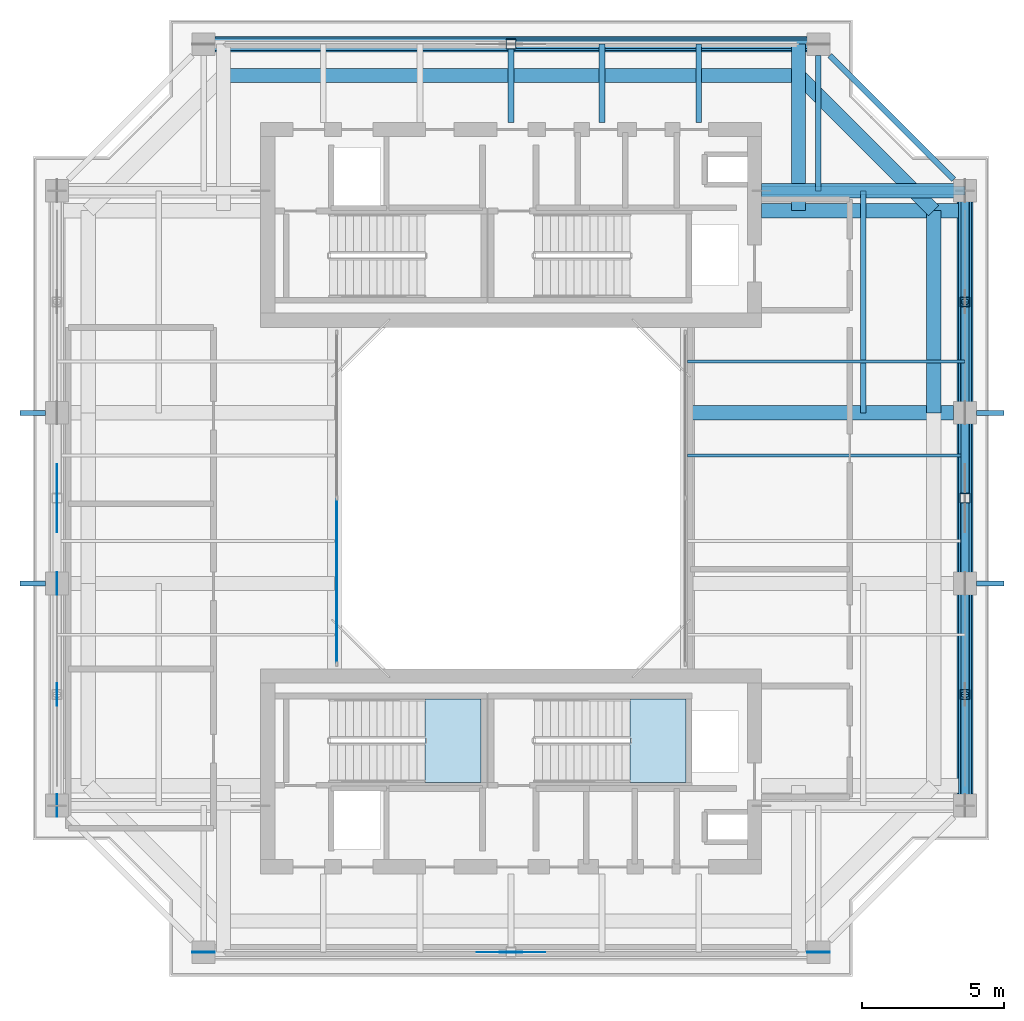
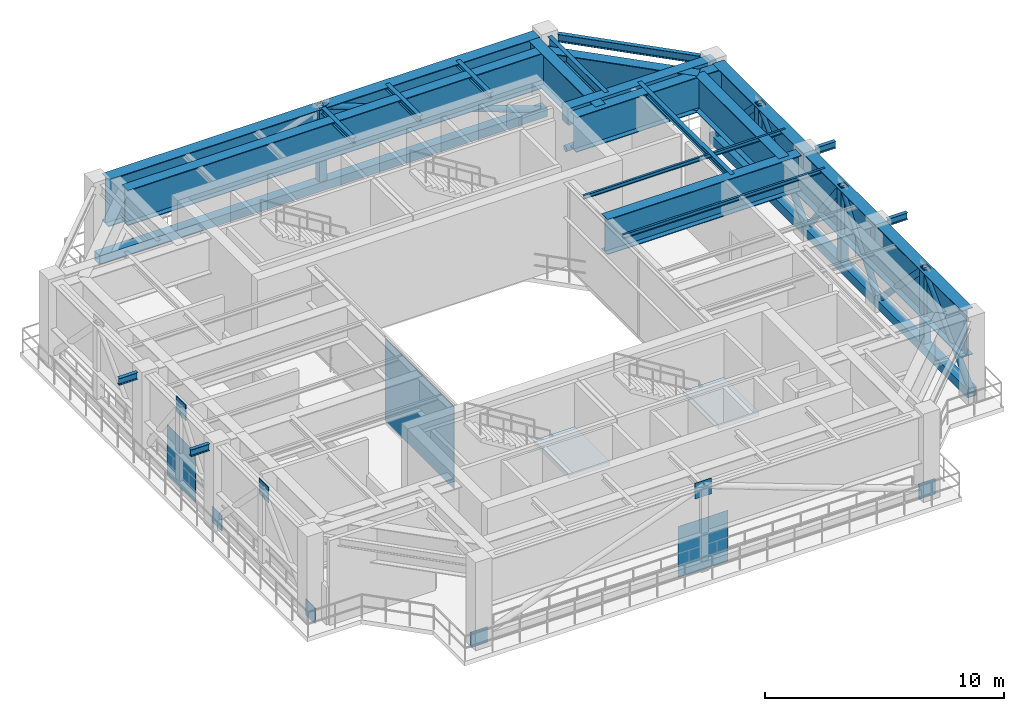
# One storey, part 4 of 10: 21 beams, 16 members, 10 plates, 2 slabs, 3 elements without a shape of their own.
"""IFC4 building model written with IfcOpenShell, lengths in metres."""

import ifcopenshell
import ifcopenshell.guid

model = None  # the IFC model being written
_history = None  # IfcOwnerHistory: only IFC2X3 demands one
_inside = {}  # id of a spatial element -> (the spatial element, [elements in it])
_under = {}  # id of a project, library or spatial element -> (it, [spatial elements below it])
_declared = {}  # id of a project -> (the project, [libraries it declares])
_typed = {}  # id of a type object -> (the type object, [elements of that type])
_made_of = {}  # id of a material, layer set ... -> (it, [elements and type objects made of it])


def new_model(schema):
    """Start an empty IFC model of exactly this schema.

    Asked for "IFC4X3", IfcOpenShell would pick the latest addendum, in which some entities
    have other attributes; the version numbers below select the first issue.
    IFC2X3 requires an IfcOwnerHistory on every rooted entity: one is made here for all.
    """
    global model, _history
    if schema == "IFC4X3":
        model = ifcopenshell.file(schema_version=(4, 3, 0, 0))
    else:
        model = ifcopenshell.file(schema=schema)
    _inside.clear()
    _under.clear()
    _declared.clear()
    _typed.clear()
    _made_of.clear()
    _history = None
    if model.schema == "IFC2X3":
        org = make("IfcOrganization", Name="unknown")
        user = make(
            "IfcPersonAndOrganization",
            ThePerson=make("IfcPerson", FamilyName="unknown"),
            TheOrganization=org,
        )
        app = make(
            "IfcApplication",
            ApplicationDeveloper=org,
            Version="unknown",
            ApplicationFullName="unknown",
            ApplicationIdentifier="unknown",
        )
        _history = make(
            "IfcOwnerHistory",
            OwningUser=user,
            OwningApplication=app,
            ChangeAction="ADDED",
            CreationDate=0,
        )
    return model


def make(cls, **values):
    """One entity of the class cls with the attributes given. An attribute that is None is left unset."""
    return model.create_entity(
        cls, **{name: value for name, value in values.items() if value is not None}
    )


def rooted(cls, **values):
    """An entity with a GlobalId (a new one), such as an element, a storey or a relation."""
    return make(cls, GlobalId=ifcopenshell.guid.new(), OwnerHistory=_history, **values)


def si_unit(unit_type, name, prefix=None):
    """IfcSIUnit, for example si_unit("LENGTHUNIT", "METRE", prefix="MILLI")."""
    return make("IfcSIUnit", UnitType=unit_type, Prefix=prefix, Name=name)


def assignment(units):
    """IfcUnitAssignment: the units of a project."""
    return None if units is None else make("IfcUnitAssignment", Units=units)


def point(xyz):
    """IfcCartesianPoint."""
    return None if xyz is None else make("IfcCartesianPoint", Coordinates=xyz)


def direction(xyz):
    """IfcDirection."""
    return None if xyz is None else make("IfcDirection", DirectionRatios=xyz)


def frame(location, z_axis=None, x_axis=None):
    """IfcAxis2Placement3D, a coordinate frame: its origin and axes. An axis left out is left unset."""
    return make(
        "IfcAxis2Placement3D",
        Location=point(location),
        Axis=direction(z_axis),
        RefDirection=direction(x_axis),
    )


def frame_2d(location, x_axis=None):
    """IfcAxis2Placement2D, a coordinate frame in the plane: its origin and x axis."""
    return make(
        "IfcAxis2Placement2D", Location=point(location), RefDirection=direction(x_axis)
    )


def origin():
    """The frame at (0, 0, 0) with its axes left unset."""
    return frame((0.0, 0.0, 0.0))


def origin_2d():
    """The frame at (0, 0) in the plane with its x axis left unset."""
    return frame_2d((0.0, 0.0))


def place(relative_to, where):
    """IfcLocalPlacement: puts the frame where relative to a parent placement (None: the world)."""
    return make(
        "IfcLocalPlacement", PlacementRelTo=relative_to, RelativePlacement=where
    )


def context(
    kind, dimensions, precision=None, world=None, true_north=None, identifier=None
):
    """IfcGeometricRepresentationContext, for example the 3D "Model" context."""
    return make(
        "IfcGeometricRepresentationContext",
        ContextIdentifier=identifier,
        ContextType=kind,
        CoordinateSpaceDimension=dimensions,
        Precision=precision,
        WorldCoordinateSystem=world,
        TrueNorth=true_north,
    )


def subcontext(parent, identifier, kind, view, scale=None):
    """IfcGeometricRepresentationSubContext, for example "Body" below "Model"."""
    return make(
        "IfcGeometricRepresentationSubContext",
        ContextIdentifier=identifier,
        ContextType=kind,
        ParentContext=parent,
        TargetScale=scale,
        TargetView=view,
    )


def project(units=None, contexts=None):
    """IfcProject with its units and contexts."""
    return rooted(
        "IfcProject",
        Name="project",
        RepresentationContexts=contexts,
        UnitsInContext=assignment(units),
    )


def spatial(cls, under=None, at=None, **own):
    """A site, building, storey or space (cls), placed at a placement, below another one or the project."""
    s = rooted(cls, ObjectPlacement=at, **own)
    if under is not None:
        _under.setdefault(under.id(), (under, []))[1].append(s)
    return s


def polyline(points):
    """IfcPolyline through the points."""
    return make("IfcPolyline", Points=[point(p) for p in points])


def profile(cls, at=None, kind="AREA", **sizes):
    """A parametric profile (cls). Its sizes go by their IFC names, for example OverallWidth=200.0."""
    return make(cls, ProfileType=kind, Position=at, **sizes)


def rectangle(**sizes):
    """IfcRectangleProfileDef."""
    return profile("IfcRectangleProfileDef", **sizes)


def hollow_rectangle(**sizes):
    """IfcRectangleHollowProfileDef."""
    return profile("IfcRectangleHollowProfileDef", **sizes)


def hollow_circle(**sizes):
    """IfcCircleHollowProfileDef."""
    return profile("IfcCircleHollowProfileDef", **sizes)


def i_section(**sizes):
    """IfcIShapeProfileDef."""
    return profile("IfcIShapeProfileDef", **sizes)


def outline(outer, holes=None, kind="AREA"):
    """IfcArbitraryClosedProfileDef: a profile drawn as a closed curve; with holes, ...WithVoids."""
    if holes is None:
        return make("IfcArbitraryClosedProfileDef", ProfileType=kind, OuterCurve=outer)
    return make(
        "IfcArbitraryProfileDefWithVoids",
        ProfileType=kind,
        OuterCurve=outer,
        InnerCurves=holes,
    )


def extrude(swept, where, along, depth):
    """IfcExtrudedAreaSolid: the profile swept, set in the frame where, extruded along a direction by depth."""
    return make(
        "IfcExtrudedAreaSolid",
        SweptArea=swept,
        Position=where,
        ExtrudedDirection=direction(along),
        Depth=depth,
    )


def shape(context_of_items, identifier, shape_type, items):
    """IfcShapeRepresentation: the items that make up one representation, for example the "Body"."""
    return make(
        "IfcShapeRepresentation",
        ContextOfItems=context_of_items,
        RepresentationIdentifier=identifier,
        RepresentationType=shape_type,
        Items=items,
    )


def source(mapping_origin, context_of_items, identifier, shape_type, items):
    """IfcRepresentationMap: a shape defined once, which mapped items show again and again."""
    return make(
        "IfcRepresentationMap",
        MappingOrigin=mapping_origin,
        MappedRepresentation=shape(context_of_items, identifier, shape_type, items),
    )


def transform(
    local_origin,
    x_axis=None,
    y_axis=None,
    z_axis=None,
    scale=None,
    scale2=None,
    scale3=None,
    uniform=True,
):
    """IfcCartesianTransformationOperator3D, or its non-uniform kind. x_axis, y_axis, z_axis: its Axis1, 2, 3."""
    if uniform:
        return make(
            "IfcCartesianTransformationOperator3D",
            Axis1=direction(x_axis),
            Axis2=direction(y_axis),
            LocalOrigin=point(local_origin),
            Scale=scale,
            Axis3=direction(z_axis),
        )
    return make(
        "IfcCartesianTransformationOperator3DnonUniform",
        Axis1=direction(x_axis),
        Axis2=direction(y_axis),
        LocalOrigin=point(local_origin),
        Scale=scale,
        Axis3=direction(z_axis),
        Scale2=scale2,
        Scale3=scale3,
    )


def mapped(mapping_source, mapping_target):
    """IfcMappedItem: shows the shape of a source again, moved by a transform."""
    return make(
        "IfcMappedItem", MappingSource=mapping_source, MappingTarget=mapping_target
    )


def material(Name=None, Category=None):
    """IfcMaterial."""
    return make("IfcMaterial", Name=Name, Category=Category)


def layer(
    of_material, thickness, ventilated=None, Name=None, Category=None, Priority=None
):
    """IfcMaterialLayer: one layer of a wall or slab, of a material (None: an air gap)."""
    return make(
        "IfcMaterialLayer",
        Material=of_material,
        LayerThickness=thickness,
        IsVentilated=ventilated,
        Name=Name,
        Category=Category,
        Priority=Priority,
    )


def layer_set(layers, Name=None):
    """IfcMaterialLayerSet."""
    return make("IfcMaterialLayerSet", MaterialLayers=layers, LayerSetName=Name)


def material_profile(
    of_material, cross_section, Name=None, Category=None, Priority=None
):
    """IfcMaterialProfile: a cross section and its material."""
    return make(
        "IfcMaterialProfile",
        Name=Name,
        Material=of_material,
        Profile=cross_section,
        Priority=Priority,
        Category=Category,
    )


def profile_set(profiles, Name=None, composite=None):
    """IfcMaterialProfileSet."""
    return make(
        "IfcMaterialProfileSet",
        Name=Name,
        MaterialProfiles=profiles,
        CompositeProfile=composite,
    )


def made_of(thing, what):
    """Note that an element or type object is made of a material, layer set ...; save() writes the relation."""
    if what is not None:
        _made_of.setdefault(what.id(), (what, []))[1].append(thing)
    return thing


def type_object(cls, material=None, **own):
    """A type object (cls), such as IfcWallType, which elements share."""
    return made_of(rooted(cls, **own), material)


def element(
    cls,
    number,
    at=None,
    inside=None,
    cuts=None,
    type_object=None,
    material=None,
    context=None,
    identifier="Body",
    shape_type=None,
    held_by="IfcProductDefinitionShape",
    body=None,
    shapes=None,
    **own,
):
    """One element of the class cls, such as IfcWall. Its Tag is "e" and its number.

    at: its placement. inside: the storey or other place that contains it. cuts: it is an
    opening in that element (IfcRelVoidsElement). A single representation is given by context,
    identifier, shape_type and body (its items); several are given by shapes. held_by: the class
    of the entity that holds the representations. save() writes the other relations.
    """
    e = rooted(cls, Tag="e%d" % number, ObjectPlacement=at, **own)
    if body is not None:
        shapes = [shape(context, identifier, shape_type, body)]
    if shapes is not None:
        e.Representation = make(held_by, Representations=shapes)
    if inside is not None:
        _inside.setdefault(inside.id(), (inside, []))[1].append(e)
    if cuts is not None:
        rooted(
            "IfcRelVoidsElement", RelatingBuildingElement=cuts, RelatedOpeningElement=e
        )
    if type_object is not None:
        _typed.setdefault(type_object.id(), (type_object, []))[1].append(e)
    return made_of(e, material)


def aggregate(whole, parts):
    """IfcRelAggregates: a whole, such as a stair, and the parts it consists of."""
    return rooted("IfcRelAggregates", RelatingObject=whole, RelatedObjects=parts)


def save(model, path):
    """Write the relations noted so far, then the file.

    IfcRelAggregates (storeys below a building ...), IfcRelContainedInSpatialStructure (elements
    in a storey), IfcRelDefinesByType, IfcRelAssociatesMaterial and IfcRelDeclares: one each for
    every whole, place, type object, material and project.
    """
    for whole, parts in _under.values():
        aggregate(whole, parts)
    for where, things in _inside.values():
        rooted(
            "IfcRelContainedInSpatialStructure",
            RelatedElements=things,
            RelatingStructure=where,
        )
    for kind, things in _typed.values():
        rooted("IfcRelDefinesByType", RelatedObjects=things, RelatingType=kind)
    for what, things in _made_of.values():
        rooted("IfcRelAssociatesMaterial", RelatedObjects=things, RelatingMaterial=what)
    for by, libraries in _declared.values():
        rooted("IfcRelDeclares", RelatingContext=by, RelatedDefinitions=libraries)
    model.write(path)


model = new_model("IFC4")

# Units and contexts
model_context = context("Model", 3, precision=1e-05, world=origin(), true_north=direction((0.0, 1.0)))
body_context = subcontext(model_context, "Body", "Model", "MODEL_VIEW")
ifc_project = project(units=[si_unit("LENGTHUNIT", "METRE"), si_unit("AREAUNIT", "SQUARE_METRE"), si_unit("VOLUMEUNIT", "CUBIC_METRE"), si_unit("PLANEANGLEUNIT", "RADIAN"), si_unit("MASSUNIT", "GRAM", prefix="KILO"), si_unit("THERMODYNAMICTEMPERATUREUNIT", "KELVIN"), si_unit("POWERUNIT", "WATT")], contexts=[model_context])

# Site, building, storey
site_placement = place(None, origin())
site = spatial("IfcSite", under=ifc_project, at=site_placement, CompositionType="ELEMENT")
building_placement = place(site_placement, origin())
building = spatial("IfcBuilding", under=site, at=building_placement, Name="Qiaomeng Ring Towers", CompositionType="ELEMENT")
storey_placement = place(building_placement, frame((0.0, 0.0, 232.75)))
storey = spatial("IfcBuildingStorey", under=building, at=storey_placement, Name="L68", CompositionType="ELEMENT", Elevation=232.75)

# Members
ifc_material_1 = material(Name="Steel Q390GJC", Category="steel")
ifc_material_profile_1 = material_profile(ifc_material_1, hollow_rectangle(XDim=0.35009765625, YDim=0.35009765625, WallThickness=0.02001953125, at=origin_2d()), Name="SHS 350x350x20")
ifc_profile_set_1 = profile_set([ifc_material_profile_1], Name="Steel Q390GJC")
member_type_1 = type_object("IfcMemberType", Name="STR-MB-POST-350", PredefinedType="POST", material=ifc_profile_set_1)
shared_shape_1 = source(origin(), body_context, "Body", "SweptSolid", [
    extrude(hollow_rectangle(XDim=0.35009765625, YDim=0.35009765625, WallThickness=0.02001953125, at=origin_2d()), origin(), (0.0, 0.0, 1.0), 4.0),
])
for number, where, z_axis, x_axis, name in (
    (1, (34.949951171875, 16.10009765625, 0.320068359375), (0.0, 0.0, 1.0), (1.0, 0.0, 0.0), "L68 Belt Truss Post E1-E2"),
    (2, (34.949951171875, 23.0, 0.320068359375), (0.0, 0.0, 1.0), (1.0, 0.0, 0.0), "L68 Belt Truss Post E2-E3"),
    (3, (34.949951171875, 29.89990234375, 0.320068359375), (0.0, 0.0, 1.0), (1.0, 0.0, 0.0), "L68 Belt Truss Post E3-E4"),
    (4, (19.0, 38.949951171875, 0.320068359375), (0.0, 0.0, 1.0), (1.0, 0.0, 0.0), "L68 Belt Truss Post N2-N1"),
):
    element("IfcMember", number, at=place(storey_placement, frame(where, z_axis=z_axis, x_axis=x_axis)), inside=storey, type_object=member_type_1, Name=name, PredefinedType="POST", context=body_context, shape_type="MappedRepresentation", body=[
        mapped(shared_shape_1, transform((0.0, 0.0, 0.0), x_axis=(1.0, 0.0, 0.0), y_axis=(0.0, 1.0, 0.0), z_axis=(0.0, 0.0, 1.0), scale=1.0)),
    ])
ifc_material_profile_2 = material_profile(ifc_material_1, hollow_rectangle(XDim=0.449951171875, YDim=0.449951171875, WallThickness=0.028076171875, at=origin_2d()), Name="SHS 450x450x28")
ifc_profile_set_2 = profile_set([ifc_material_profile_2], Name="Steel Q390GJC")
member_type_2 = type_object("IfcMemberType", Name="STR-MB-CHORD-450", PredefinedType="CHORD", material=ifc_profile_set_2)
shared_shape_2 = source(origin(), body_context, "Body", "SweptSolid", [
    extrude(hollow_rectangle(XDim=0.449951171875, YDim=0.449951171875, WallThickness=0.028076171875, at=origin_2d()), origin(), (0.0, 0.0, 1.0), 6.0),
])
member_1_placement = place(storey_placement, frame((34.949951171875, 20.0, 0.320068359375), z_axis=(0.0, 1.0, 0.0), x_axis=(-1.0, 0.0, 0.0)))
element("IfcMember", 5, at=member_1_placement, inside=storey, type_object=member_type_2, Name="L68 Belt Truss Bottom Chord E2-E3", PredefinedType="CHORD", context=body_context, shape_type="MappedRepresentation", body=[
    mapped(shared_shape_2, transform((0.0, 0.0, 0.0), x_axis=(1.0, 0.0, 0.0), y_axis=(0.0, 1.0, 0.0), z_axis=(0.0, 0.0, 1.0), scale=1.0)),
])

# Beams
ifc_material_2 = material(Name="Steel Q355B", Category="steel")
ifc_material_profile_3 = material_profile(ifc_material_2, i_section(OverallWidth=0.198974609375, OverallDepth=0.39599609375, WebThickness=0.007080078125, FlangeThickness=0.010986328125, FilletRadius=0.01611328125, at=origin_2d()), Name="HN 396x199x7x11")
ifc_profile_set_3 = profile_set([ifc_material_profile_3], Name="Steel Q355B")
beam_type_1 = type_object("IfcBeamType", Name="STR-BM-HN396", PredefinedType="SPANDREL", material=ifc_profile_set_3)
shared_shape_3 = source(origin(), body_context, "Body", "SweptSolid", [
    extrude(i_section(OverallWidth=0.198974609375, OverallDepth=0.39599609375, WebThickness=0.007080078125, FlangeThickness=0.010986328125, FilletRadius=0.01611328125, at=origin_2d()), origin(), (0.0, 0.0, 1.0), 6.154052734375),
])
beam_1_placement = place(storey_placement, frame((34.55078125, 34.19921875, 4.1220703125), z_axis=(-0.707106781187, 0.707106781187, 0.0), x_axis=(-0.707106781187, -0.707106781187, 0.0)))
element("IfcBeam", 6, at=beam_1_placement, inside=storey, type_object=beam_type_1, Name="L68 beam STR-SP-L68-T1-E4-N2", PredefinedType="SPANDREL", context=body_context, shape_type="MappedRepresentation", body=[
    mapped(shared_shape_3, transform((0.0, 0.0, 0.0), x_axis=(1.0, 0.0, 0.0), y_axis=(0.0, 1.0, 0.0), z_axis=(0.0, 0.0, 1.0), scale=1.0)),
])
ifc_material_profile_4 = material_profile(ifc_material_2, i_section(OverallWidth=0.199951171875, OverallDepth=0.2939453125, WebThickness=0.008056640625, FlangeThickness=0.011962890625, FilletRadius=0.01806640625, at=origin_2d()), Name="HM 294x200x8x12")
ifc_profile_set_4 = profile_set([ifc_material_profile_4], Name="Steel Q355B")
beam_type_2 = type_object("IfcBeamType", Name="STR-BM-HM294", PredefinedType="JOIST", material=ifc_profile_set_4)
shared_shape_4 = source(origin(), body_context, "Body", "SweptSolid", [
    extrude(i_section(OverallWidth=0.199951171875, OverallDepth=0.2939453125, WebThickness=0.008056640625, FlangeThickness=0.011962890625, FilletRadius=0.01806640625, at=origin_2d()), origin(), (0.0, 0.0, 1.0), 2.75),
])
for number, where, z_axis, x_axis, name in (
    (7, (19.0, 36.199951171875, 4.173095703125), (0.0, 1.0, 0.0), (-1.0, 0.0, 0.0), "L68 beam STR-JST-L68-T1N-3"),
    (8, (22.199951171875, 36.199951171875, 4.173095703125), (0.0, 1.0, 0.0), (-1.0, 0.0, 0.0), "L68 beam STR-JST-L68-T1N-4"),
    (9, (25.60009765625, 36.199951171875, 4.173095703125), (0.0, 1.0, 0.0), (-1.0, 0.0, 0.0), "L68 beam STR-JST-L68-T1N-5"),
):
    element("IfcBeam", number, at=place(storey_placement, frame(where, z_axis=z_axis, x_axis=x_axis)), inside=storey, type_object=beam_type_2, Name=name, PredefinedType="JOIST", context=body_context, shape_type="MappedRepresentation", body=[
        mapped(shared_shape_4, transform((0.0, 0.0, 0.0), x_axis=(1.0, 0.0, 0.0), y_axis=(0.0, 1.0, 0.0), z_axis=(0.0, 0.0, 1.0), scale=1.0)),
    ])
ifc_material_profile_5 = material_profile(ifc_material_2, i_section(OverallWidth=0.10009765625, OverallDepth=0.199951171875, WebThickness=0.005615234375, FlangeThickness=0.008056640625, FilletRadius=0.010986328125, at=origin_2d()), Name="HN 200x100x5.5x8")
ifc_profile_set_5 = profile_set([ifc_material_profile_5], Name="Steel Q355B")
beam_type_3 = type_object("IfcBeamType", Name="STR-BM-HN200", PredefinedType="JOIST", material=ifc_profile_set_5)
shared_shape_5 = source(origin(), body_context, "Body", "SweptSolid", [
    extrude(i_section(OverallWidth=0.10009765625, OverallDepth=0.199951171875, WebThickness=0.005615234375, FlangeThickness=0.008056640625, FilletRadius=0.010986328125, at=origin_2d()), origin(), (0.0, 0.0, 1.0), 9.75),
])
for number, where, z_axis, x_axis, name in (
    (10, (25.199951171875, 24.5, 4.219970703125), (1.0, 0.0, 0.0), (0.0, 1.0, 0.0), "L68 beam STR-JST-L68-T1E-3"),
    (11, (25.199951171875, 27.800048828125, 4.219970703125), (1.0, 0.0, 0.0), (0.0, 1.0, 0.0), "L68 beam STR-JST-L68-T1E-4"),
):
    element("IfcBeam", number, at=place(storey_placement, frame(where, z_axis=z_axis, x_axis=x_axis)), inside=storey, type_object=beam_type_3, Name=name, PredefinedType="JOIST", context=body_context, shape_type="MappedRepresentation", body=[
        mapped(shared_shape_5, transform((0.0, 0.0, 0.0), x_axis=(1.0, 0.0, 0.0), y_axis=(0.0, 1.0, 0.0), z_axis=(0.0, 0.0, 1.0), scale=1.0)),
    ])
shared_shape_6 = source(origin(), body_context, "Body", "SweptSolid", [
    extrude(i_section(OverallWidth=0.199951171875, OverallDepth=0.2939453125, WebThickness=0.008056640625, FlangeThickness=0.011962890625, FilletRadius=0.01806640625, at=origin_2d()), origin(), (0.0, 0.0, 1.0), 7.800048828125),
])
beam_2_placement = place(storey_placement, frame((31.375, 26.0, 4.173095703125), z_axis=(0.0, 1.0, 0.0), x_axis=(-1.0, 0.0, 0.0)))
element("IfcBeam", 12, at=beam_2_placement, inside=storey, type_object=beam_type_2, Name="L68 beam STR-JST-L68-T1C-EN", PredefinedType="JOIST", context=body_context, shape_type="MappedRepresentation", body=[
    mapped(shared_shape_6, transform((0.0, 0.0, 0.0), x_axis=(1.0, 0.0, 0.0), y_axis=(0.0, 1.0, 0.0), z_axis=(0.0, 0.0, 1.0), scale=1.0)),
])
ifc_material_profile_6 = material_profile(ifc_material_2, i_section(OverallWidth=0.198974609375, OverallDepth=0.49609375, WebThickness=0.009033203125, FlangeThickness=0.013916015625, FilletRadius=0.01806640625, at=origin_2d()), Name="HN 496x199x9x14")
ifc_profile_set_6 = profile_set([ifc_material_profile_6], Name="Steel Q355B")
beam_type_4 = type_object("IfcBeamType", Name="STR-BM-HN496", PredefinedType="BEAM", material=ifc_profile_set_6)
shared_shape_7 = source(origin(), body_context, "Body", "SweptSolid", [
    extrude(i_section(OverallWidth=0.198974609375, OverallDepth=0.49609375, WebThickness=0.009033203125, FlangeThickness=0.013916015625, FilletRadius=0.01806640625, at=origin_2d()), origin(), (0.0, 0.0, 1.0), 4.7509765625),
])
beam_3_placement = place(storey_placement, frame((29.800048828125, 38.551025390625, 4.072021484375), z_axis=(0.0, -1.0, 0.0), x_axis=(1.0, 0.0, 0.0)))
element("IfcBeam", 13, at=beam_3_placement, inside=storey, type_object=beam_type_4, Name="L68 beam STR-BM-L68-T1-RAD-N2", PredefinedType="BEAM", context=body_context, shape_type="MappedRepresentation", body=[
    mapped(shared_shape_7, transform((0.0, 0.0, 0.0), x_axis=(1.0, 0.0, 0.0), y_axis=(0.0, 1.0, 0.0), z_axis=(0.0, 0.0, 1.0), scale=1.0)),
])
ifc_material_3 = material(Name="Concrete C50", Category="concrete")
ifc_material_profile_7 = material_profile(ifc_material_3, rectangle(XDim=0.5, YDim=0.85009765625, at=origin_2d()), Name="RC BM 500x850")
ifc_profile_set_7 = profile_set([ifc_material_profile_7], Name="Concrete C50")
beam_type_5 = type_object("IfcBeamType", Name="STR-BM-RC850", PredefinedType="LINTEL", material=ifc_profile_set_7)
shared_shape_8 = source(origin(), body_context, "Body", "SweptSolid", [
    extrude(rectangle(XDim=0.5, YDim=0.85009765625, at=origin_2d()), origin(), (0.0, 0.0, 1.0), 7.14990234375),
])
beam_4_placement = place(storey_placement, frame((27.800048828125, 33.800048828125, 3.89501953125), z_axis=(1.0, 0.0, 0.0), x_axis=(0.0, 1.0, 0.0)))
element("IfcBeam", 14, at=beam_4_placement, inside=storey, type_object=beam_type_5, Name="L68 beam STR-CB-L68-T1N", PredefinedType="LINTEL", context=body_context, shape_type="MappedRepresentation", body=[
    mapped(shared_shape_8, transform((0.0, 0.0, 0.0), x_axis=(1.0, 0.0, 0.0), y_axis=(0.0, 1.0, 0.0), z_axis=(0.0, 0.0, 1.0), scale=1.0)),
])
ifc_material_profile_8 = material_profile(ifc_material_1, i_section(OverallWidth=0.550048828125, OverallDepth=2.39990234375, WebThickness=0.02587890625, FlangeThickness=0.035888671875, at=origin_2d()), Name="WH 2400x550x26x36")
ifc_profile_set_8 = profile_set([ifc_material_profile_8], Name="Steel Q390GJC")
beam_type_6 = type_object("IfcBeamType", Name="STR-TG-WH2400", PredefinedType="USERDEFINED", material=ifc_profile_set_8)
shared_shape_9 = source(origin(), body_context, "Body", "SweptSolid", [
    extrude(i_section(OverallWidth=0.550048828125, OverallDepth=2.39990234375, WebThickness=0.02587890625, FlangeThickness=0.035888671875, at=origin_2d()), origin(), (0.0, 0.0, 1.0), 20.8017578125),
])
for number, where, z_axis, x_axis, name in (
    (15, (34.949951171875, 12.59912109375, 3.1201171875), (0.0, 1.0, 0.0), (-1.0, 0.0, 0.0), "L68 Transfer Girder STR-TG2-L68-OUT-E"),
    (16, (8.59912109375, 38.949951171875, 3.1201171875), (1.0, 0.0, 0.0), (0.0, 1.0, 0.0), "L68 Transfer Girder STR-TG2-L68-OUT-N"),
):
    element("IfcBeam", number, at=place(storey_placement, frame(where, z_axis=z_axis, x_axis=x_axis)), inside=storey, type_object=beam_type_6, Name=name, ObjectType="TRANSFER GIRDER", PredefinedType="USERDEFINED", context=body_context, shape_type="MappedRepresentation", body=[
        mapped(shared_shape_9, transform((0.0, 0.0, 0.0), x_axis=(1.0, 0.0, 0.0), y_axis=(0.0, 1.0, 0.0), z_axis=(0.0, 0.0, 1.0), scale=1.0)),
    ])
ifc_material_profile_9 = material_profile(ifc_material_1, i_section(OverallWidth=0.5, OverallDepth=1.800048828125, WebThickness=0.02392578125, FlangeThickness=0.035888671875, at=origin_2d()), Name="WH 1800x500x24x36")
ifc_profile_set_9 = profile_set([ifc_material_profile_9], Name="Steel Q390GJC")
beam_type_7 = type_object("IfcBeamType", Name="STR-TG-WH1800", PredefinedType="USERDEFINED", material=ifc_profile_set_9)
shared_shape_10 = source(origin(), body_context, "Body", "SweptSolid", [
    extrude(i_section(OverallWidth=0.5, OverallDepth=1.800048828125, WebThickness=0.02392578125, FlangeThickness=0.035888671875, at=origin_2d()), origin(), (0.0, 0.0, 1.0), 7.14990234375),
])
beam_5_placement = place(storey_placement, frame((27.800048828125, 33.10009765625, 3.419921875), z_axis=(1.0, 0.0, 0.0), x_axis=(0.0, 1.0, 0.0)))
element("IfcBeam", 17, at=beam_5_placement, inside=storey, type_object=beam_type_7, Name="L68 Transfer Girder STR-TG2-L68-E4-NXT", ObjectType="TRANSFER GIRDER", PredefinedType="USERDEFINED", context=body_context, shape_type="MappedRepresentation", body=[
    mapped(shared_shape_10, transform((0.0, 0.0, 0.0), x_axis=(1.0, 0.0, 0.0), y_axis=(0.0, 1.0, 0.0), z_axis=(0.0, 0.0, 1.0), scale=1.0)),
])
shared_shape_11 = source(origin(), body_context, "Body", "SweptSolid", [
    extrude(i_section(OverallWidth=0.5, OverallDepth=1.800048828125, WebThickness=0.02392578125, FlangeThickness=0.035888671875, at=origin_2d()), origin(), (0.0, 0.0, 1.0), 9.35107421875),
])
beam_6_placement = place(storey_placement, frame((25.199951171875, 26.0, 3.419921875), z_axis=(1.0, 0.0, 0.0), x_axis=(0.0, 1.0, 0.0)))
element("IfcBeam", 18, at=beam_6_placement, inside=storey, type_object=beam_type_7, Name="L68 Transfer Girder STR-TG2-L68-E3", ObjectType="TRANSFER GIRDER", PredefinedType="USERDEFINED", context=body_context, shape_type="MappedRepresentation", body=[
    mapped(shared_shape_11, transform((0.0, 0.0, 0.0), x_axis=(1.0, 0.0, 0.0), y_axis=(0.0, 1.0, 0.0), z_axis=(0.0, 0.0, 1.0), scale=1.0)),
])
shared_shape_12 = source(origin(), body_context, "Body", "SweptSolid", [
    extrude(i_section(OverallWidth=0.5, OverallDepth=1.800048828125, WebThickness=0.02392578125, FlangeThickness=0.035888671875, at=origin_2d()), origin(), (0.0, 0.0, 1.0), 5.849853515625),
])
beam_7_placement = place(storey_placement, frame((29.10009765625, 38.949951171875, 3.419921875), z_axis=(0.0, -1.0, 0.0), x_axis=(1.0, 0.0, 0.0)))
element("IfcBeam", 19, at=beam_7_placement, inside=storey, type_object=beam_type_7, Name="L68 Transfer Girder STR-TG2-L68-N2", ObjectType="TRANSFER GIRDER", PredefinedType="USERDEFINED", context=body_context, shape_type="MappedRepresentation", body=[
    mapped(shared_shape_12, transform((0.0, 0.0, 0.0), x_axis=(1.0, 0.0, 0.0), y_axis=(0.0, 1.0, 0.0), z_axis=(0.0, 0.0, 1.0), scale=1.0)),
])
shared_shape_13 = source(origin(), body_context, "Body", "SweptSolid", [
    extrude(i_section(OverallWidth=0.5, OverallDepth=1.800048828125, WebThickness=0.02392578125, FlangeThickness=0.035888671875, at=origin_2d()), origin(), (0.0, 0.0, 1.0), 20.2001953125),
])
beam_8_placement = place(storey_placement, frame((29.10009765625, 37.85009765625, 3.419921875), z_axis=(-1.0, 0.0, 0.0), x_axis=(0.0, -1.0, 0.0)))
element("IfcBeam", 20, at=beam_8_placement, inside=storey, type_object=beam_type_7, Name="L68 Transfer Girder STR-TG3-L68-N2-N1", ObjectType="TRANSFER GIRDER", PredefinedType="USERDEFINED", context=body_context, shape_type="MappedRepresentation", body=[
    mapped(shared_shape_13, transform((0.0, 0.0, 0.0), x_axis=(1.0, 0.0, 0.0), y_axis=(0.0, 1.0, 0.0), z_axis=(0.0, 0.0, 1.0), scale=1.0)),
])
shared_shape_14 = source(origin(), body_context, "Body", "SweptSolid", [
    extrude(i_section(OverallWidth=0.5, OverallDepth=1.800048828125, WebThickness=0.02392578125, FlangeThickness=0.035888671875, at=origin_2d()), origin(), (0.0, 0.0, 1.0), 6.717529296875),
])
beam_9_placement = place(storey_placement, frame((33.85009765625, 33.10009765625, 3.419921875), z_axis=(-0.707106781187, 0.707106781187, 0.0), x_axis=(-0.707106781187, -0.707106781187, 0.0)))
element("IfcBeam", 21, at=beam_9_placement, inside=storey, type_object=beam_type_7, Name="L68 Transfer Girder STR-TG3-L68-E4-N2", ObjectType="TRANSFER GIRDER", PredefinedType="USERDEFINED", context=body_context, shape_type="MappedRepresentation", body=[
    mapped(shared_shape_14, transform((0.0, 0.0, 0.0), x_axis=(1.0, 0.0, 0.0), y_axis=(0.0, 1.0, 0.0), z_axis=(0.0, 0.0, 1.0), scale=1.0)),
])
shared_shape_15 = source(origin(), body_context, "Body", "SweptSolid", [
    extrude(i_section(OverallWidth=0.5, OverallDepth=1.800048828125, WebThickness=0.02392578125, FlangeThickness=0.035888671875, at=origin_2d()), origin(), (0.0, 0.0, 1.0), 7.10009765625),
])
beam_10_placement = place(storey_placement, frame((33.85009765625, 26.0, 3.419921875), z_axis=(0.0, 1.0, 0.0), x_axis=(-1.0, 0.0, 0.0)))
element("IfcBeam", 22, at=beam_10_placement, inside=storey, type_object=beam_type_7, Name="L68 Transfer Girder STR-TG3-L68-E3-E4", ObjectType="TRANSFER GIRDER", PredefinedType="USERDEFINED", context=body_context, shape_type="MappedRepresentation", body=[
    mapped(shared_shape_15, transform((0.0, 0.0, 0.0), x_axis=(1.0, 0.0, 0.0), y_axis=(0.0, 1.0, 0.0), z_axis=(0.0, 0.0, 1.0), scale=1.0)),
])
ifc_material_profile_10 = material_profile(ifc_material_2, i_section(OverallWidth=0.175048828125, OverallDepth=0.35009765625, WebThickness=0.007080078125, FlangeThickness=0.010986328125, FilletRadius=0.013916015625, at=origin_2d()), Name="HN 350x175x7x11")
ifc_profile_set_10 = profile_set([ifc_material_profile_10], Name="Steel Q355B")
beam_type_8 = type_object("IfcBeamType", Name="STR-BM-HN350", PredefinedType="JOIST", material=ifc_profile_set_10)
shared_shape_16 = source(origin(), body_context, "Body", "SweptSolid", [
    extrude(i_section(OverallWidth=0.175048828125, OverallDepth=0.35009765625, WebThickness=0.007080078125, FlangeThickness=0.010986328125, FilletRadius=0.013916015625, at=origin_2d()), origin(), (0.0, 0.0, 1.0), 0.970947265625),
])
for number, where, z_axis, x_axis, name in (
    (23, (35.34912109375, 20.0, 4.14501953125), (1.0, 0.0, 0.0), (0.0, 1.0, 0.0), "L68 beam STR-BALBM-L68-E2"),
    (24, (35.34912109375, 26.0, 4.14501953125), (1.0, 0.0, 0.0), (0.0, 1.0, 0.0), "L68 beam STR-BALBM-L68-E3"),
):
    element("IfcBeam", number, at=place(storey_placement, frame(where, z_axis=z_axis, x_axis=x_axis)), inside=storey, type_object=beam_type_8, Name=name, PredefinedType="JOIST", context=body_context, shape_type="MappedRepresentation", body=[
        mapped(shared_shape_16, transform((0.0, 0.0, 0.0), x_axis=(1.0, 0.0, 0.0), y_axis=(0.0, 1.0, 0.0), z_axis=(0.0, 0.0, 1.0), scale=1.0)),
    ])
shared_shape_17 = source(origin(), body_context, "Body", "SweptSolid", [
    extrude(i_section(OverallWidth=0.175048828125, OverallDepth=0.35009765625, WebThickness=0.007080078125, FlangeThickness=0.010986328125, FilletRadius=0.013916015625, at=origin_2d()), origin(), (0.0, 0.0, 1.0), 0.90087890625),
])
for number, where, z_axis, x_axis, name in (
    (25, (1.75, 20.0, 4.14501953125), (1.0, 0.0, 0.0), (0.0, 1.0, 0.0), "L68 beam STR-BALBM-L68-W2"),
    (26, (1.75, 26.0, 4.14501953125), (1.0, 0.0, 0.0), (0.0, 1.0, 0.0), "L68 beam STR-BALBM-L68-W3"),
):
    element("IfcBeam", number, at=place(storey_placement, frame(where, z_axis=z_axis, x_axis=x_axis)), inside=storey, type_object=beam_type_8, Name=name, PredefinedType="JOIST", context=body_context, shape_type="MappedRepresentation", body=[
        mapped(shared_shape_17, transform((0.0, 0.0, 0.0), x_axis=(1.0, 0.0, 0.0), y_axis=(0.0, 1.0, 0.0), z_axis=(0.0, 0.0, 1.0), scale=1.0)),
    ])

# Members
shared_shape_18 = source(origin(), body_context, "Body", "SweptSolid", [
    extrude(hollow_rectangle(XDim=0.449951171875, YDim=0.449951171875, WallThickness=0.028076171875, at=origin_2d()), origin(), (0.0, 0.0, 1.0), 21.60009765625),
])
member_2_placement = place(storey_placement, frame((29.800048828125, 38.949951171875, 0.320068359375), z_axis=(-1.0, 0.0, 0.0), x_axis=(0.0, -1.0, 0.0)))
element("IfcMember", 27, at=member_2_placement, inside=storey, type_object=member_type_2, Name="L68 Belt Truss Bottom Chord N2-N1", PredefinedType="CHORD", context=body_context, shape_type="MappedRepresentation", body=[
    mapped(shared_shape_18, transform((0.0, 0.0, 0.0), x_axis=(1.0, 0.0, 0.0), y_axis=(0.0, 1.0, 0.0), z_axis=(0.0, 0.0, 1.0), scale=1.0)),
])
ifc_material_profile_11 = material_profile(ifc_material_1, hollow_circle(Radius=0.1494140625, WallThickness=0.01611328125, at=origin_2d()), Name="CHS 299x16")
ifc_profile_set_11 = profile_set([ifc_material_profile_11], Name="Steel Q390GJC")
member_type_3 = type_object("IfcMemberType", Name="STR-MB-BR-299", PredefinedType="BRACE", material=ifc_profile_set_11)
shared_shape_19 = source(origin(), body_context, "Body", "SweptSolid", [
    extrude(hollow_circle(Radius=0.1494140625, WallThickness=0.01611328125, at=origin_2d()), origin(), (0.0, 0.0, 1.0), 11.510009765625),
])
member_3_placement = place(storey_placement, frame((29.800048828125, 38.949951171875, 0.320068359375), z_axis=(-0.938314504514, 0.0, 0.345783010887), x_axis=(0.0, -1.0, 0.0)))
element("IfcMember", 28, at=member_3_placement, inside=storey, type_object=member_type_3, Name="L68 Belt Truss Diagonal N2-M", PredefinedType="BRACE", context=body_context, shape_type="MappedRepresentation", body=[
    mapped(shared_shape_19, transform((0.0, 0.0, 0.0), x_axis=(1.0, 0.0, 0.0), y_axis=(0.0, 1.0, 0.0), z_axis=(0.0, 0.0, 1.0), scale=1.0)),
])
shared_shape_20 = source(origin(), body_context, "Body", "SweptSolid", [
    extrude(hollow_rectangle(XDim=0.449951171875, YDim=0.449951171875, WallThickness=0.028076171875, at=origin_2d()), origin(), (0.0, 0.0, 1.0), 7.800048828125),
])
for number, where, z_axis, x_axis, name in (
    (29, (34.949951171875, 12.199951171875, 0.320068359375), (0.0, 1.0, 0.0), (-1.0, 0.0, 0.0), "L68 Belt Truss Bottom Chord E1-E2"),
    (30, (34.949951171875, 26.0, 0.320068359375), (0.0, 1.0, 0.0), (-1.0, 0.0, 0.0), "L68 Belt Truss Bottom Chord E3-E4"),
):
    element("IfcMember", number, at=place(storey_placement, frame(where, z_axis=z_axis, x_axis=x_axis)), inside=storey, type_object=member_type_2, Name=name, PredefinedType="CHORD", context=body_context, shape_type="MappedRepresentation", body=[
        mapped(shared_shape_20, transform((0.0, 0.0, 0.0), x_axis=(1.0, 0.0, 0.0), y_axis=(0.0, 1.0, 0.0), z_axis=(0.0, 0.0, 1.0), scale=1.0)),
    ])
shared_shape_21 = source(origin(), body_context, "Body", "SweptSolid", [
    extrude(hollow_circle(Radius=0.1494140625, WallThickness=0.01611328125, at=origin_2d()), origin(), (0.0, 0.0, 1.0), 5.572265625),
])
for number, where, z_axis, x_axis, name in (
    (31, (34.949951171875, 12.199951171875, 0.320068359375), (0.0, 0.699907127164, 0.714233864603), (-1.0, 0.0, 0.0), "L68 Belt Truss Diagonal E1-M"),
    (32, (34.949951171875, 20.0, 0.320068359375), (0.0, -0.699884775987, 0.714255766754), (1.0, 0.0, 0.0), "L68 Belt Truss Diagonal E2-M"),
    (33, (34.949951171875, 26.0, 0.320068359375), (0.0, 0.699884775987, 0.714255766754), (-1.0, 0.0, 0.0), "L68 Belt Truss Diagonal E3-M"),
    (34, (34.949951171875, 33.800048828125, 0.320068359375), (0.0, -0.699907127164, 0.714233864603), (1.0, 0.0, 0.0), "L68 Belt Truss Diagonal E4-M"),
):
    element("IfcMember", number, at=place(storey_placement, frame(where, z_axis=z_axis, x_axis=x_axis)), inside=storey, type_object=member_type_3, Name=name, PredefinedType="BRACE", context=body_context, shape_type="MappedRepresentation", body=[
        mapped(shared_shape_21, transform((0.0, 0.0, 0.0), x_axis=(1.0, 0.0, 0.0), y_axis=(0.0, 1.0, 0.0), z_axis=(0.0, 0.0, 1.0), scale=1.0)),
    ])
shared_shape_22 = source(origin(), body_context, "Body", "SweptSolid", [
    extrude(hollow_circle(Radius=0.1494140625, WallThickness=0.01611328125, at=origin_2d()), origin(), (0.0, 0.0, 1.0), 4.98388671875),
])
for number, where, z_axis, x_axis, name in (
    (35, (34.949951171875, 20.0, 0.320068359375), (0.0, 0.601926302674, 0.798551642757), (-1.0, 0.0, 0.0), "L68 Belt Truss Diagonal E2-M"),
    (36, (34.949951171875, 26.0, 0.320068359375), (0.0, -0.601926302674, 0.798551642757), (1.0, 0.0, 0.0), "L68 Belt Truss Diagonal E3-M"),
):
    element("IfcMember", number, at=place(storey_placement, frame(where, z_axis=z_axis, x_axis=x_axis)), inside=storey, type_object=member_type_3, Name=name, PredefinedType="BRACE", context=body_context, shape_type="MappedRepresentation", body=[
        mapped(shared_shape_22, transform((0.0, 0.0, 0.0), x_axis=(1.0, 0.0, 0.0), y_axis=(0.0, 1.0, 0.0), z_axis=(0.0, 0.0, 1.0), scale=1.0)),
    ])
shared_shape_23 = source(origin(), body_context, "Body", "SweptSolid", [
    extrude(hollow_circle(Radius=0.1494140625, WallThickness=0.01611328125, at=origin_2d()), origin(), (0.0, 0.0, 1.0), 7.158447265625),
])
member_4_placement = place(storey_placement, frame((27.800048828125, 33.800048828125, 2.14990234375), z_axis=(0.998803347378, 0.0, 0.048906781402), x_axis=(0.0, 1.0, 0.0)))
element("IfcMember", 37, at=member_4_placement, inside=storey, type_object=member_type_3, Name="L68 Core Outrigger Truss Diagonal E4", PredefinedType="BRACE", context=body_context, shape_type="MappedRepresentation", body=[
    mapped(shared_shape_23, transform((0.0, 0.0, 0.0), x_axis=(1.0, 0.0, 0.0), y_axis=(0.0, 1.0, 0.0), z_axis=(0.0, 0.0, 1.0), scale=1.0)),
])

# Stair, slab
ifc_material_4 = material(Name="Precast concrete C40", Category="concrete")
stair_type = type_object("IfcStairType", Name="ARC-ST-450", PredefinedType="HALF_TURN_STAIR", material=ifc_material_4)
stair_1_placement = place(storey_placement, origin())
stair_1 = element("IfcStair", 38, at=stair_1_placement, inside=storey, type_object=stair_type, Name="L68 Tower 1 South Stair 3", PredefinedType="HALF_TURN_STAIR")
ifc_material_5 = material(Name="Concrete C40", Category="concrete")
ifc_layer_1 = layer(ifc_material_5, 0.199951171875, Name="Concrete C40")
ifc_layer_set_1 = layer_set([ifc_layer_1], Name="Concrete C40")
slab_type = type_object("IfcSlabType", Name="STR-SL-LANDING", PredefinedType="LANDING", material=ifc_layer_set_1)
slab_1_placement = place(storey_placement, frame((0.0, 0.0, 2.050048828125)))
slab_1 = element("IfcSlab", 39, at=slab_1_placement, type_object=slab_type, Name="ST3 landing 1", PredefinedType="LANDING", context=body_context, shape_type="SweptSolid", body=[
    extrude(outline(polyline([(15.97998046875, 13.010009765625), (17.949951171875, 13.010009765625), (17.949951171875, 15.949951171875), (15.97998046875, 15.949951171875), (15.97998046875, 13.010009765625)])), origin(), (0.0, 0.0, 1.0), 0.199951171875),
])
aggregate(stair_1, [slab_1])

stair_2_placement = place(storey_placement, origin())
stair_2 = element("IfcStair", 40, at=stair_2_placement, inside=storey, type_object=stair_type, Name="L68 Tower 1 South Stair 4", PredefinedType="HALF_TURN_STAIR")
slab_2_placement = place(storey_placement, frame((0.0, 0.0, 2.050048828125)))
slab_2 = element("IfcSlab", 41, at=slab_2_placement, type_object=slab_type, Name="ST4 landing 1", PredefinedType="LANDING", context=body_context, shape_type="SweptSolid", body=[
    extrude(outline(polyline([(23.179931640625, 13.010009765625), (25.14990234375, 13.010009765625), (25.14990234375, 15.949951171875), (23.179931640625, 15.949951171875), (23.179931640625, 13.010009765625)])), origin(), (0.0, 0.0, 1.0), 0.199951171875),
])
aggregate(stair_2, [slab_2])

# Plates
ifc_layer_2 = layer(ifc_material_1, 0.031982421875, Name="Steel Q390GJC")
ifc_layer_set_2 = layer_set([ifc_layer_2], Name="Steel Q390GJC")
plate_type_1 = type_object("IfcPlateType", Name="STR-PL-GUSSET", PredefinedType="USERDEFINED", material=ifc_layer_set_2)
shared_shape_24 = source(origin(), body_context, "Body", "SweptSolid", [
    extrude(rectangle(XDim=0.800048828125, YDim=0.031982421875, at=origin_2d()), origin(), (0.0, 0.0, 1.0), 0.800048828125),
])
for number, where, z_axis, x_axis, name in (
    (42, (19.0, 7.050048828125, 3.72021484375), (0.0, 0.0, 1.0), (1.0, 0.0, 0.0), "L68 Belt Truss Node Gusset Plate 1-APX"),
    (43, (8.199951171875, 7.050048828125, -0.080078125), (0.0, 0.0, 1.0), (1.0, 0.0, 0.0), "L68 Belt Truss Node Gusset Plate 1-N1"),
    (44, (29.800048828125, 7.050048828125, -0.080078125), (0.0, 0.0, 1.0), (1.0, 0.0, 0.0), "L68 Belt Truss Node Gusset Plate 1-N2"),
    (45, (3.050048828125, 23.0, 3.72021484375), (0.0, 0.0, 1.0), (0.0, -1.0, 0.0), "L68 Belt Truss Node Gusset Plate 7-APX"),
    (46, (3.050048828125, 20.0, -0.080078125), (0.0, 0.0, 1.0), (0.0, -1.0, 0.0), "L68 Belt Truss Node Gusset Plate 7-N2"),
    (47, (3.050048828125, 16.10009765625, 3.72021484375), (0.0, 0.0, 1.0), (0.0, -1.0, 0.0), "L68 Belt Truss Node Gusset Plate 8-APX"),
    (48, (3.050048828125, 12.199951171875, -0.080078125), (0.0, 0.0, 1.0), (0.0, -1.0, 0.0), "L68 Belt Truss Node Gusset Plate 8-N2"),
):
    element("IfcPlate", number, at=place(storey_placement, frame(where, z_axis=z_axis, x_axis=x_axis)), inside=storey, type_object=plate_type_1, Name=name, ObjectType="GUSSET PLATE", PredefinedType="USERDEFINED", context=body_context, shape_type="MappedRepresentation", body=[
        mapped(shared_shape_24, transform((0.0, 0.0, 0.0), x_axis=(1.0, 0.0, 0.0), y_axis=(0.0, 1.0, 0.0), z_axis=(0.0, 0.0, 1.0), scale=1.0)),
    ])

# Curtain wall, plate
ifc_material_6 = material(Name="Fluorocarbon dark-grey aluminium", Category="aluminium")
ifc_layer_3 = layer(ifc_material_6, 0.139892578125, Name="Fluorocarbon dark-grey aluminium")
ifc_layer_set_3 = layer_set([ifc_layer_3], Name="Fluorocarbon dark-grey aluminium")
curtain_wall_type = type_object("IfcCurtainWallType", Name="ARC-CW-4", PredefinedType="NOTDEFINED", material=ifc_layer_set_3)
curtain_wall_placement = place(storey_placement, origin())
curtain_wall = element("IfcCurtainWall", 49, at=curtain_wall_placement, inside=storey, type_object=curtain_wall_type, Name="L68 Curtain Wall CW4", PredefinedType="NOTDEFINED")
ifc_material_7 = material(Name="Low-E dark-grey laminated double glazing", Category="glass")
ifc_layer_4 = layer(ifc_material_7, 0.028076171875, Name="Low-E dark-grey laminated double glazing")
ifc_layer_set_4 = layer_set([ifc_layer_4], Name="Low-E dark-grey laminated double glazing")
plate_type_2 = type_object("IfcPlateType", Name="ARC-CWP-DARK", PredefinedType="CURTAIN_PANEL", material=ifc_layer_set_4)
shared_shape_25 = source(origin(), body_context, "Body", "SweptSolid", [
    extrude(rectangle(XDim=5.75244140625, YDim=0.028076171875, at=origin_2d()), origin(), (0.0, 0.0, 1.0), 4.18994140625),
])
plate_placement = place(storey_placement, frame((12.8798828125, 20.09130859375, 0.06494140625), z_axis=(0.0, 0.0, 1.0), x_axis=(0.0, 1.0, 0.0)))
plate = element("IfcPlate", 50, at=plate_placement, type_object=plate_type_2, Name="CW4 panel 1.1", PredefinedType="CURTAIN_PANEL", context=body_context, shape_type="MappedRepresentation", body=[
    mapped(shared_shape_25, transform((0.0, 0.0, 0.0), x_axis=(1.0, 0.0, 0.0), y_axis=(0.0, 1.0, 0.0), z_axis=(0.0, 0.0, 1.0), scale=1.0)),
])
aggregate(curtain_wall, [plate])

# Plates
ifc_material_8 = material(Name="Stainless steel 316", Category="steel")
ifc_layer_5 = layer(ifc_material_8, 0.011962890625, Name="Stainless steel 316")
ifc_layer_set_5 = layer_set([ifc_layer_5], Name="Stainless steel 316")
plate_type_3 = type_object("IfcPlateType", Name="ARC-PL-SCREEN", PredefinedType="SHEET", material=ifc_layer_set_5)
shared_shape_26 = source(origin(), body_context, "Body", "SweptSolid", [
    extrude(rectangle(XDim=2.39990234375, YDim=0.011962890625, at=origin_2d()), origin(), (0.0, 0.0, 1.0), 2.60009765625),
])
for number, where, z_axis, x_axis, name in (
    (51, (19.0, 7.050048828125, 0.0), (0.0, 0.0, 1.0), (1.0, 0.0, 0.0), "L68 Perforated Refuge Wind Screen S"),
    (52, (3.050048828125, 23.0, 0.0), (0.0, 0.0, 1.0), (0.0, -1.0, 0.0), "L68 Perforated Refuge Wind Screen W"),
):
    element("IfcPlate", number, at=place(storey_placement, frame(where, z_axis=z_axis, x_axis=x_axis)), inside=storey, type_object=plate_type_3, Name=name, PredefinedType="SHEET", context=body_context, shape_type="MappedRepresentation", body=[
        mapped(shared_shape_26, transform((0.0, 0.0, 0.0), x_axis=(1.0, 0.0, 0.0), y_axis=(0.0, 1.0, 0.0), z_axis=(0.0, 0.0, 1.0), scale=1.0)),
    ])

save(model, "model.ifc")
